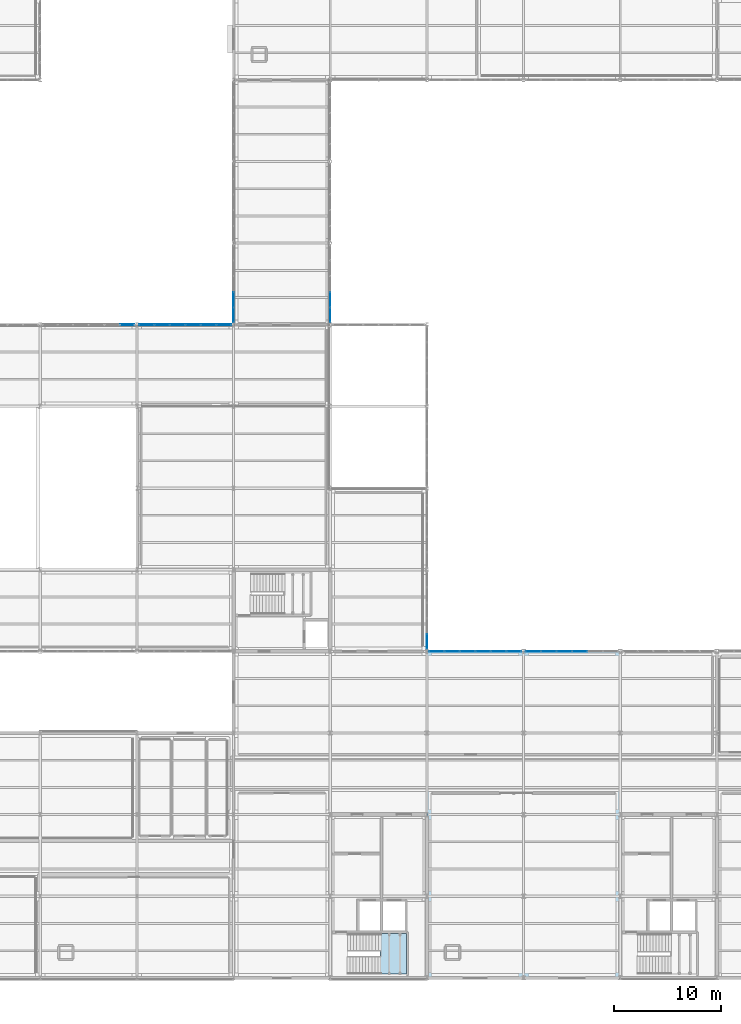
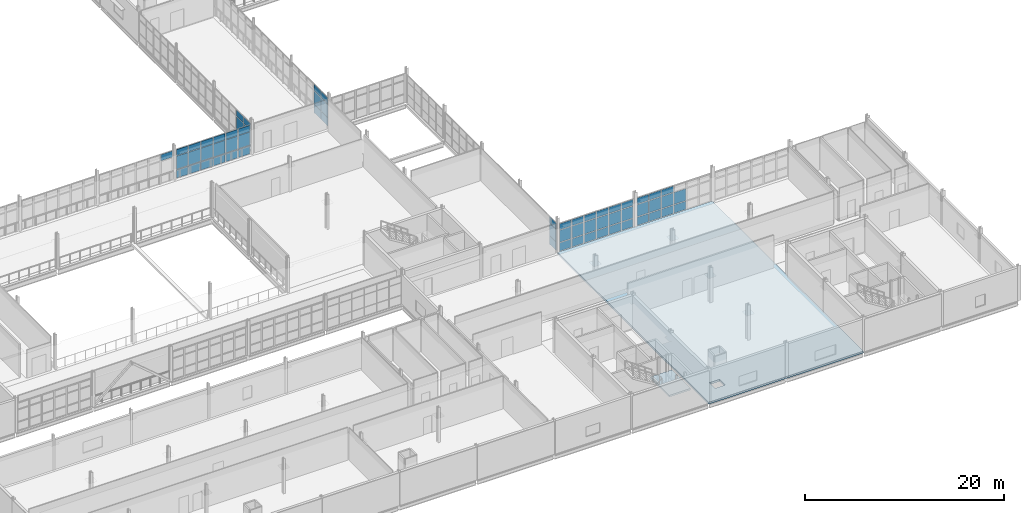
# One storey, part 131 of 174: 63 plates, 2 slabs, 8 elements without a shape of their own.
"""IFC4 building model written with IfcOpenShell, lengths in metres."""

from ifc_helpers import new_model, si_unit, direction, frame, origin, origin_2d, place, context, subcontext, project, spatial, polyline, rectangle, outline, extrude, material, layer, layer_set, type_object, element, aggregate, save


model = new_model("IFC4")

# Units and contexts
model_context = context("Model", 3, precision=1e-05, world=origin(), true_north=direction((0.0, 1.0)))
body_context = subcontext(model_context, "Body", "Model", "MODEL_VIEW")
ifc_project = project(units=[si_unit("LENGTHUNIT", "METRE"), si_unit("AREAUNIT", "SQUARE_METRE"), si_unit("VOLUMEUNIT", "CUBIC_METRE"), si_unit("PLANEANGLEUNIT", "RADIAN"), si_unit("MASSUNIT", "GRAM", prefix="KILO")], contexts=[model_context])

# Site, building, storey
site_placement = place(None, origin())
site = spatial("IfcSite", under=ifc_project, at=site_placement, CompositionType="ELEMENT")
building_placement = place(site_placement, origin())
building = spatial("IfcBuilding", under=site, at=building_placement, Name="Caisbarro Railhouse Central Library", CompositionType="ELEMENT")
storey_placement = place(building_placement, frame((0.0, 0.0, 5.0400390625)))
storey = spatial("IfcBuildingStorey", under=building, at=storey_placement, Name="L01", CompositionType="ELEMENT", Elevation=5.0400390625)

# Curtain wall, plates
ifc_material_1 = material(Name="Anodised architectural aluminium", Category="aluminium")
curtain_wall_type_1 = type_object("IfcCurtainWallType", Name="CW-CW03", PredefinedType="NOTDEFINED", material=ifc_material_1)
curtain_wall_1_placement = place(storey_placement, origin())
curtain_wall_1 = element("IfcCurtainWall", 1, at=curtain_wall_1_placement, inside=storey, type_object=curtain_wall_type_1, Name="CW03 curtain wall L01 #192", PredefinedType="NOTDEFINED")
ifc_material_2 = material(Name="Double low-e laminated solar-control glass", Category="glass")
ifc_layer_1 = layer(ifc_material_2, 0.01806640625, Name="Double low-e laminated solar-control glass")
ifc_layer_set_1 = layer_set([ifc_layer_1], Name="Double low-e laminated solar-control glass")
plate_type_1 = type_object("IfcPlateType", Name="CWP-CP18", PredefinedType="CURTAIN_PANEL", material=ifc_layer_set_1)
plate_1_placement = place(storey_placement, frame((54.0, 61.704345703125, 0.06494140625), z_axis=(0.0, 0.0, 1.0), x_axis=(0.0, 1.0, 0.0)))
plate_1 = element("IfcPlate", 2, at=plate_1_placement, type_object=plate_type_1, Name="CW03 panel 1.1", PredefinedType="CURTAIN_PANEL", context=body_context, shape_type="SweptSolid", body=[
    extrude(rectangle(XDim=1.3583984375, YDim=0.01806640625, at=origin_2d()), origin(), (0.0, 0.0, 1.0), 1.0224609375),
])
plate_2_placement = place(storey_placement, frame((54.0, 61.704345703125, 1.15234375), z_axis=(0.0, 0.0, 1.0), x_axis=(0.0, 1.0, 0.0)))
plate_2 = element("IfcPlate", 3, at=plate_2_placement, type_object=plate_type_1, Name="CW03 panel 1.2", PredefinedType="CURTAIN_PANEL", context=body_context, shape_type="SweptSolid", body=[
    extrude(rectangle(XDim=1.3583984375, YDim=0.01806640625, at=origin_2d()), origin(), (0.0, 0.0, 1.0), 1.574951171875),
])
plate_3_placement = place(storey_placement, frame((54.0, 61.704345703125, 2.79248046875), z_axis=(0.0, 0.0, 1.0), x_axis=(0.0, 1.0, 0.0)))
plate_3 = element("IfcPlate", 4, at=plate_3_placement, type_object=plate_type_1, Name="CW03 panel 1.3", PredefinedType="CURTAIN_PANEL", context=body_context, shape_type="SweptSolid", body=[
    extrude(rectangle(XDim=1.3583984375, YDim=0.01806640625, at=origin_2d()), origin(), (0.0, 0.0, 1.0), 0.75244140625),
])
plate_4_placement = place(storey_placement, frame((54.0, 63.14404296875, 0.06494140625), z_axis=(0.0, 0.0, 1.0), x_axis=(0.0, 1.0, 0.0)))
plate_4 = element("IfcPlate", 5, at=plate_4_placement, type_object=plate_type_1, Name="CW03 panel 2.1", PredefinedType="CURTAIN_PANEL", context=body_context, shape_type="SweptSolid", body=[
    extrude(rectangle(XDim=1.39111328125, YDim=0.01806640625, at=origin_2d()), origin(), (0.0, 0.0, 1.0), 1.0224609375),
])
plate_5_placement = place(storey_placement, frame((54.0, 63.14404296875, 1.15234375), z_axis=(0.0, 0.0, 1.0), x_axis=(0.0, 1.0, 0.0)))
plate_5 = element("IfcPlate", 6, at=plate_5_placement, type_object=plate_type_1, Name="CW03 panel 2.2", PredefinedType="CURTAIN_PANEL", context=body_context, shape_type="SweptSolid", body=[
    extrude(rectangle(XDim=1.39111328125, YDim=0.01806640625, at=origin_2d()), origin(), (0.0, 0.0, 1.0), 1.574951171875),
])
plate_6_placement = place(storey_placement, frame((54.0, 63.14404296875, 2.79248046875), z_axis=(0.0, 0.0, 1.0), x_axis=(0.0, 1.0, 0.0)))
plate_6 = element("IfcPlate", 7, at=plate_6_placement, type_object=plate_type_1, Name="CW03 panel 2.3", PredefinedType="CURTAIN_PANEL", context=body_context, shape_type="SweptSolid", body=[
    extrude(rectangle(XDim=1.39111328125, YDim=0.01806640625, at=origin_2d()), origin(), (0.0, 0.0, 1.0), 0.75244140625),
])
aggregate(curtain_wall_1, [plate_1, plate_2, plate_3, plate_4, plate_5, plate_6])

curtain_wall_2_placement = place(storey_placement, origin())
curtain_wall_2 = element("IfcCurtainWall", 8, at=curtain_wall_2_placement, inside=storey, type_object=curtain_wall_type_1, Name="CW03 curtain wall L01 #193", PredefinedType="NOTDEFINED")
plate_7_placement = place(storey_placement, frame((63.0, 61.704345703125, 0.06494140625), z_axis=(0.0, 0.0, 1.0), x_axis=(0.0, 1.0, 0.0)))
plate_7 = element("IfcPlate", 9, at=plate_7_placement, type_object=plate_type_1, Name="CW03 panel 1.1", PredefinedType="CURTAIN_PANEL", context=body_context, shape_type="SweptSolid", body=[
    extrude(rectangle(XDim=1.3583984375, YDim=0.01806640625, at=origin_2d()), origin(), (0.0, 0.0, 1.0), 1.0224609375),
])
plate_8_placement = place(storey_placement, frame((63.0, 61.704345703125, 1.15234375), z_axis=(0.0, 0.0, 1.0), x_axis=(0.0, 1.0, 0.0)))
plate_8 = element("IfcPlate", 10, at=plate_8_placement, type_object=plate_type_1, Name="CW03 panel 1.2", PredefinedType="CURTAIN_PANEL", context=body_context, shape_type="SweptSolid", body=[
    extrude(rectangle(XDim=1.3583984375, YDim=0.01806640625, at=origin_2d()), origin(), (0.0, 0.0, 1.0), 1.574951171875),
])
plate_9_placement = place(storey_placement, frame((63.0, 61.704345703125, 2.79248046875), z_axis=(0.0, 0.0, 1.0), x_axis=(0.0, 1.0, 0.0)))
plate_9 = element("IfcPlate", 11, at=plate_9_placement, type_object=plate_type_1, Name="CW03 panel 1.3", PredefinedType="CURTAIN_PANEL", context=body_context, shape_type="SweptSolid", body=[
    extrude(rectangle(XDim=1.3583984375, YDim=0.01806640625, at=origin_2d()), origin(), (0.0, 0.0, 1.0), 0.75244140625),
])
plate_10_placement = place(storey_placement, frame((63.0, 63.14404296875, 0.06494140625), z_axis=(0.0, 0.0, 1.0), x_axis=(0.0, 1.0, 0.0)))
plate_10 = element("IfcPlate", 12, at=plate_10_placement, type_object=plate_type_1, Name="CW03 panel 2.1", PredefinedType="CURTAIN_PANEL", context=body_context, shape_type="SweptSolid", body=[
    extrude(rectangle(XDim=1.39111328125, YDim=0.01806640625, at=origin_2d()), origin(), (0.0, 0.0, 1.0), 1.0224609375),
])
plate_11_placement = place(storey_placement, frame((63.0, 63.14404296875, 1.15234375), z_axis=(0.0, 0.0, 1.0), x_axis=(0.0, 1.0, 0.0)))
plate_11 = element("IfcPlate", 13, at=plate_11_placement, type_object=plate_type_1, Name="CW03 panel 2.2", PredefinedType="CURTAIN_PANEL", context=body_context, shape_type="SweptSolid", body=[
    extrude(rectangle(XDim=1.39111328125, YDim=0.01806640625, at=origin_2d()), origin(), (0.0, 0.0, 1.0), 1.574951171875),
])
plate_12_placement = place(storey_placement, frame((63.0, 63.14404296875, 2.79248046875), z_axis=(0.0, 0.0, 1.0), x_axis=(0.0, 1.0, 0.0)))
plate_12 = element("IfcPlate", 14, at=plate_12_placement, type_object=plate_type_1, Name="CW03 panel 2.3", PredefinedType="CURTAIN_PANEL", context=body_context, shape_type="SweptSolid", body=[
    extrude(rectangle(XDim=1.39111328125, YDim=0.01806640625, at=origin_2d()), origin(), (0.0, 0.0, 1.0), 0.75244140625),
])
aggregate(curtain_wall_2, [plate_7, plate_8, plate_9, plate_10, plate_11, plate_12])

curtain_wall_type_2 = type_object("IfcCurtainWallType", Name="CW-CW02", PredefinedType="NOTDEFINED", material=ifc_material_1)
curtain_wall_3_placement = place(storey_placement, origin())
curtain_wall_3 = element("IfcCurtainWall", 15, at=curtain_wall_3_placement, inside=storey, type_object=curtain_wall_type_2, Name="CW02 curtain wall L01 #30", PredefinedType="NOTDEFINED")
ifc_layer_2 = layer(ifc_material_2, 0.0380859375, Name="Double low-e laminated solar-control glass")
ifc_layer_set_2 = layer_set([ifc_layer_2], Name="Double low-e laminated solar-control glass")
plate_type_2 = type_object("IfcPlateType", Name="CWP-CP38", PredefinedType="CURTAIN_PANEL", material=ifc_layer_set_2)
plate_13_placement = place(storey_placement, frame((72.0, 31.306640625, 0.06494140625), z_axis=(0.0, 0.0, 1.0), x_axis=(0.0, 1.0, 0.0)))
plate_13 = element("IfcPlate", 16, at=plate_13_placement, type_object=plate_type_2, Name="CW02 panel 1.1", PredefinedType="CURTAIN_PANEL", context=body_context, shape_type="SweptSolid", body=[
    extrude(rectangle(XDim=1.343505859375, YDim=0.0380859375, at=origin_2d()), origin(), (0.0, 0.0, 1.0), 1.0224609375),
])
plate_14_placement = place(storey_placement, frame((72.0, 31.306640625, 1.15234375), z_axis=(0.0, 0.0, 1.0), x_axis=(0.0, 1.0, 0.0)))
plate_14 = element("IfcPlate", 17, at=plate_14_placement, type_object=plate_type_2, Name="CW02 panel 1.2", PredefinedType="CURTAIN_PANEL", context=body_context, shape_type="SweptSolid", body=[
    extrude(rectangle(XDim=1.343505859375, YDim=0.0380859375, at=origin_2d()), origin(), (0.0, 0.0, 1.0), 1.47509765625),
])
plate_15_placement = place(storey_placement, frame((72.0, 31.306640625, 2.6923828125), z_axis=(0.0, 0.0, 1.0), x_axis=(0.0, 1.0, 0.0)))
plate_15 = element("IfcPlate", 18, at=plate_15_placement, type_object=plate_type_2, Name="CW02 panel 1.3", PredefinedType="CURTAIN_PANEL", context=body_context, shape_type="SweptSolid", body=[
    extrude(rectangle(XDim=1.343505859375, YDim=0.0380859375, at=origin_2d()), origin(), (0.0, 0.0, 1.0), 0.75244140625),
])
aggregate(curtain_wall_3, [plate_13, plate_14, plate_15])

curtain_wall_4_placement = place(storey_placement, origin())
curtain_wall_4 = element("IfcCurtainWall", 19, at=curtain_wall_4_placement, inside=storey, type_object=curtain_wall_type_2, Name="CW02 curtain wall L01 #54", PredefinedType="NOTDEFINED")
plate_16_placement = place(storey_placement, frame((72.902099609375, 30.39990234375, 0.07470703125), z_axis=(0.0, 0.0, 1.0), x_axis=(1.0, 0.0, 0.0)))
plate_16 = element("IfcPlate", 20, at=plate_16_placement, type_object=plate_type_2, Name="CW02 panel 1.1", PredefinedType="CURTAIN_PANEL", context=body_context, shape_type="SweptSolid", body=[
    extrude(rectangle(XDim=1.334228515625, YDim=0.0380859375, at=origin_2d()), origin(), (0.0, 0.0, 1.0), 1.007568359375),
])
plate_17_placement = place(storey_placement, frame((72.902099609375, 30.39990234375, 1.1572265625), z_axis=(0.0, 0.0, 1.0), x_axis=(1.0, 0.0, 0.0)))
plate_17 = element("IfcPlate", 21, at=plate_17_placement, type_object=plate_type_2, Name="CW02 panel 1.2", PredefinedType="CURTAIN_PANEL", context=body_context, shape_type="SweptSolid", body=[
    extrude(rectangle(XDim=1.334228515625, YDim=0.0380859375, at=origin_2d()), origin(), (0.0, 0.0, 1.0), 1.465087890625),
])
plate_18_placement = place(storey_placement, frame((72.902099609375, 30.39990234375, 2.697265625), z_axis=(0.0, 0.0, 1.0), x_axis=(1.0, 0.0, 0.0)))
plate_18 = element("IfcPlate", 22, at=plate_18_placement, type_object=plate_type_2, Name="CW02 panel 1.3", PredefinedType="CURTAIN_PANEL", context=body_context, shape_type="SweptSolid", body=[
    extrude(rectangle(XDim=1.334228515625, YDim=0.0380859375, at=origin_2d()), origin(), (0.0, 0.0, 1.0), 0.737548828125),
])
plate_19_placement = place(storey_placement, frame((74.330078125, 30.39990234375, 0.07470703125), z_axis=(0.0, 0.0, 1.0), x_axis=(1.0, 0.0, 0.0)))
plate_19 = element("IfcPlate", 23, at=plate_19_placement, type_object=plate_type_2, Name="CW02 panel 2.1", PredefinedType="CURTAIN_PANEL", context=body_context, shape_type="SweptSolid", body=[
    extrude(rectangle(XDim=1.37158203125, YDim=0.0380859375, at=origin_2d()), origin(), (0.0, 0.0, 1.0), 1.007568359375),
])
plate_20_placement = place(storey_placement, frame((74.330078125, 30.39990234375, 1.1572265625), z_axis=(0.0, 0.0, 1.0), x_axis=(1.0, 0.0, 0.0)))
plate_20 = element("IfcPlate", 24, at=plate_20_placement, type_object=plate_type_2, Name="CW02 panel 2.2", PredefinedType="CURTAIN_PANEL", context=body_context, shape_type="SweptSolid", body=[
    extrude(rectangle(XDim=1.37158203125, YDim=0.0380859375, at=origin_2d()), origin(), (0.0, 0.0, 1.0), 1.465087890625),
])
plate_21_placement = place(storey_placement, frame((74.330078125, 30.39990234375, 2.697265625), z_axis=(0.0, 0.0, 1.0), x_axis=(1.0, 0.0, 0.0)))
plate_21 = element("IfcPlate", 25, at=plate_21_placement, type_object=plate_type_2, Name="CW02 panel 2.3", PredefinedType="CURTAIN_PANEL", context=body_context, shape_type="SweptSolid", body=[
    extrude(rectangle(XDim=1.37158203125, YDim=0.0380859375, at=origin_2d()), origin(), (0.0, 0.0, 1.0), 0.737548828125),
])
plate_22_placement = place(storey_placement, frame((75.776611328125, 30.39990234375, 0.07470703125), z_axis=(0.0, 0.0, 1.0), x_axis=(1.0, 0.0, 0.0)))
plate_22 = element("IfcPlate", 26, at=plate_22_placement, type_object=plate_type_2, Name="CW02 panel 3.1", PredefinedType="CURTAIN_PANEL", context=body_context, shape_type="SweptSolid", body=[
    extrude(rectangle(XDim=1.37158203125, YDim=0.0380859375, at=origin_2d()), origin(), (0.0, 0.0, 1.0), 1.007568359375),
])
plate_23_placement = place(storey_placement, frame((75.776611328125, 30.39990234375, 1.1572265625), z_axis=(0.0, 0.0, 1.0), x_axis=(1.0, 0.0, 0.0)))
plate_23 = element("IfcPlate", 27, at=plate_23_placement, type_object=plate_type_2, Name="CW02 panel 3.2", PredefinedType="CURTAIN_PANEL", context=body_context, shape_type="SweptSolid", body=[
    extrude(rectangle(XDim=1.37158203125, YDim=0.0380859375, at=origin_2d()), origin(), (0.0, 0.0, 1.0), 1.465087890625),
])
plate_24_placement = place(storey_placement, frame((75.776611328125, 30.39990234375, 2.697265625), z_axis=(0.0, 0.0, 1.0), x_axis=(1.0, 0.0, 0.0)))
plate_24 = element("IfcPlate", 28, at=plate_24_placement, type_object=plate_type_2, Name="CW02 panel 3.3", PredefinedType="CURTAIN_PANEL", context=body_context, shape_type="SweptSolid", body=[
    extrude(rectangle(XDim=1.37158203125, YDim=0.0380859375, at=origin_2d()), origin(), (0.0, 0.0, 1.0), 0.737548828125),
])
plate_25_placement = place(storey_placement, frame((77.223388671875, 30.39990234375, 0.07470703125), z_axis=(0.0, 0.0, 1.0), x_axis=(1.0, 0.0, 0.0)))
plate_25 = element("IfcPlate", 29, at=plate_25_placement, type_object=plate_type_2, Name="CW02 panel 4.1", PredefinedType="CURTAIN_PANEL", context=body_context, shape_type="SweptSolid", body=[
    extrude(rectangle(XDim=1.37158203125, YDim=0.0380859375, at=origin_2d()), origin(), (0.0, 0.0, 1.0), 1.007568359375),
])
plate_26_placement = place(storey_placement, frame((77.223388671875, 30.39990234375, 1.1572265625), z_axis=(0.0, 0.0, 1.0), x_axis=(1.0, 0.0, 0.0)))
plate_26 = element("IfcPlate", 30, at=plate_26_placement, type_object=plate_type_2, Name="CW02 panel 4.2", PredefinedType="CURTAIN_PANEL", context=body_context, shape_type="SweptSolid", body=[
    extrude(rectangle(XDim=1.37158203125, YDim=0.0380859375, at=origin_2d()), origin(), (0.0, 0.0, 1.0), 1.465087890625),
])
plate_27_placement = place(storey_placement, frame((77.223388671875, 30.39990234375, 2.697265625), z_axis=(0.0, 0.0, 1.0), x_axis=(1.0, 0.0, 0.0)))
plate_27 = element("IfcPlate", 31, at=plate_27_placement, type_object=plate_type_2, Name="CW02 panel 4.3", PredefinedType="CURTAIN_PANEL", context=body_context, shape_type="SweptSolid", body=[
    extrude(rectangle(XDim=1.37158203125, YDim=0.0380859375, at=origin_2d()), origin(), (0.0, 0.0, 1.0), 0.737548828125),
])
plate_28_placement = place(storey_placement, frame((78.669921875, 30.39990234375, 0.07470703125), z_axis=(0.0, 0.0, 1.0), x_axis=(1.0, 0.0, 0.0)))
plate_28 = element("IfcPlate", 32, at=plate_28_placement, type_object=plate_type_2, Name="CW02 panel 5.1", PredefinedType="CURTAIN_PANEL", context=body_context, shape_type="SweptSolid", body=[
    extrude(rectangle(XDim=1.37158203125, YDim=0.0380859375, at=origin_2d()), origin(), (0.0, 0.0, 1.0), 1.007568359375),
])
plate_29_placement = place(storey_placement, frame((78.669921875, 30.39990234375, 1.1572265625), z_axis=(0.0, 0.0, 1.0), x_axis=(1.0, 0.0, 0.0)))
plate_29 = element("IfcPlate", 33, at=plate_29_placement, type_object=plate_type_2, Name="CW02 panel 5.2", PredefinedType="CURTAIN_PANEL", context=body_context, shape_type="SweptSolid", body=[
    extrude(rectangle(XDim=1.37158203125, YDim=0.0380859375, at=origin_2d()), origin(), (0.0, 0.0, 1.0), 1.465087890625),
])
plate_30_placement = place(storey_placement, frame((78.669921875, 30.39990234375, 2.697265625), z_axis=(0.0, 0.0, 1.0), x_axis=(1.0, 0.0, 0.0)))
plate_30 = element("IfcPlate", 34, at=plate_30_placement, type_object=plate_type_2, Name="CW02 panel 5.3", PredefinedType="CURTAIN_PANEL", context=body_context, shape_type="SweptSolid", body=[
    extrude(rectangle(XDim=1.37158203125, YDim=0.0380859375, at=origin_2d()), origin(), (0.0, 0.0, 1.0), 0.737548828125),
])
plate_31_placement = place(storey_placement, frame((80.097900390625, 30.39990234375, 0.07470703125), z_axis=(0.0, 0.0, 1.0), x_axis=(1.0, 0.0, 0.0)))
plate_31 = element("IfcPlate", 35, at=plate_31_placement, type_object=plate_type_2, Name="CW02 panel 6.1", PredefinedType="CURTAIN_PANEL", context=body_context, shape_type="SweptSolid", body=[
    extrude(rectangle(XDim=1.334228515625, YDim=0.0380859375, at=origin_2d()), origin(), (0.0, 0.0, 1.0), 1.007568359375),
])
plate_32_placement = place(storey_placement, frame((80.097900390625, 30.39990234375, 1.1572265625), z_axis=(0.0, 0.0, 1.0), x_axis=(1.0, 0.0, 0.0)))
plate_32 = element("IfcPlate", 36, at=plate_32_placement, type_object=plate_type_2, Name="CW02 panel 6.2", PredefinedType="CURTAIN_PANEL", context=body_context, shape_type="SweptSolid", body=[
    extrude(rectangle(XDim=1.334228515625, YDim=0.0380859375, at=origin_2d()), origin(), (0.0, 0.0, 1.0), 1.465087890625),
])
plate_33_placement = place(storey_placement, frame((80.097900390625, 30.39990234375, 2.697265625), z_axis=(0.0, 0.0, 1.0), x_axis=(1.0, 0.0, 0.0)))
plate_33 = element("IfcPlate", 37, at=plate_33_placement, type_object=plate_type_2, Name="CW02 panel 6.3", PredefinedType="CURTAIN_PANEL", context=body_context, shape_type="SweptSolid", body=[
    extrude(rectangle(XDim=1.334228515625, YDim=0.0380859375, at=origin_2d()), origin(), (0.0, 0.0, 1.0), 0.737548828125),
])
aggregate(curtain_wall_4, [plate_16, plate_17, plate_18, plate_19, plate_20, plate_21, plate_22, plate_23, plate_24, plate_25, plate_26, plate_27, plate_28, plate_29, plate_30, plate_31, plate_32, plate_33])

curtain_wall_5_placement = place(storey_placement, origin())
curtain_wall_5 = element("IfcCurtainWall", 38, at=curtain_wall_5_placement, inside=storey, type_object=curtain_wall_type_2, Name="CW02 curtain wall L01 #55", PredefinedType="NOTDEFINED")
ifc_layer_3 = layer(ifc_material_2, 0.048095703125, Name="Double low-e laminated solar-control glass")
ifc_layer_set_3 = layer_set([ifc_layer_3], Name="Double low-e laminated solar-control glass")
plate_type_3 = type_object("IfcPlateType", Name="CWP-CP48", PredefinedType="CURTAIN_PANEL", material=ifc_layer_set_3)
plate_34_placement = place(storey_placement, frame((81.899658203125, 30.39990234375, 0.07470703125), z_axis=(0.0, 0.0, 1.0), x_axis=(1.0, 0.0, 0.0)))
plate_34 = element("IfcPlate", 39, at=plate_34_placement, type_object=plate_type_3, Name="CW02 panel 1.1", PredefinedType="CURTAIN_PANEL", context=body_context, shape_type="SweptSolid", body=[
    extrude(rectangle(XDim=1.34912109375, YDim=0.048095703125, at=origin_2d()), origin(), (0.0, 0.0, 1.0), 1.007568359375),
])
plate_35_placement = place(storey_placement, frame((81.899658203125, 30.39990234375, 1.1572265625), z_axis=(0.0, 0.0, 1.0), x_axis=(1.0, 0.0, 0.0)))
plate_35 = element("IfcPlate", 40, at=plate_35_placement, type_object=plate_type_3, Name="CW02 panel 1.2", PredefinedType="CURTAIN_PANEL", context=body_context, shape_type="SweptSolid", body=[
    extrude(rectangle(XDim=1.34912109375, YDim=0.048095703125, at=origin_2d()), origin(), (0.0, 0.0, 1.0), 1.465087890625),
])
plate_36_placement = place(storey_placement, frame((81.899658203125, 30.39990234375, 2.697265625), z_axis=(0.0, 0.0, 1.0), x_axis=(1.0, 0.0, 0.0)))
plate_36 = element("IfcPlate", 41, at=plate_36_placement, type_object=plate_type_3, Name="CW02 panel 1.3", PredefinedType="CURTAIN_PANEL", context=body_context, shape_type="SweptSolid", body=[
    extrude(rectangle(XDim=1.34912109375, YDim=0.048095703125, at=origin_2d()), origin(), (0.0, 0.0, 1.0), 0.737548828125),
])
plate_37_placement = place(storey_placement, frame((83.330078125, 30.39990234375, 0.07470703125), z_axis=(0.0, 0.0, 1.0), x_axis=(1.0, 0.0, 0.0)))
plate_37 = element("IfcPlate", 42, at=plate_37_placement, type_object=plate_type_3, Name="CW02 panel 2.1", PredefinedType="CURTAIN_PANEL", context=body_context, shape_type="SweptSolid", body=[
    extrude(rectangle(XDim=1.381591796875, YDim=0.048095703125, at=origin_2d()), origin(), (0.0, 0.0, 1.0), 1.007568359375),
])
plate_38_placement = place(storey_placement, frame((83.330078125, 30.39990234375, 1.1572265625), z_axis=(0.0, 0.0, 1.0), x_axis=(1.0, 0.0, 0.0)))
plate_38 = element("IfcPlate", 43, at=plate_38_placement, type_object=plate_type_3, Name="CW02 panel 2.2", PredefinedType="CURTAIN_PANEL", context=body_context, shape_type="SweptSolid", body=[
    extrude(rectangle(XDim=1.381591796875, YDim=0.048095703125, at=origin_2d()), origin(), (0.0, 0.0, 1.0), 1.465087890625),
])
plate_39_placement = place(storey_placement, frame((83.330078125, 30.39990234375, 2.697265625), z_axis=(0.0, 0.0, 1.0), x_axis=(1.0, 0.0, 0.0)))
plate_39 = element("IfcPlate", 44, at=plate_39_placement, type_object=plate_type_3, Name="CW02 panel 2.3", PredefinedType="CURTAIN_PANEL", context=body_context, shape_type="SweptSolid", body=[
    extrude(rectangle(XDim=1.381591796875, YDim=0.048095703125, at=origin_2d()), origin(), (0.0, 0.0, 1.0), 0.737548828125),
])
plate_40_placement = place(storey_placement, frame((84.776611328125, 30.39990234375, 0.07470703125), z_axis=(0.0, 0.0, 1.0), x_axis=(1.0, 0.0, 0.0)))
plate_40 = element("IfcPlate", 45, at=plate_40_placement, type_object=plate_type_3, Name="CW02 panel 3.1", PredefinedType="CURTAIN_PANEL", context=body_context, shape_type="SweptSolid", body=[
    extrude(rectangle(XDim=1.381591796875, YDim=0.048095703125, at=origin_2d()), origin(), (0.0, 0.0, 1.0), 1.007568359375),
])
plate_41_placement = place(storey_placement, frame((84.776611328125, 30.39990234375, 1.1572265625), z_axis=(0.0, 0.0, 1.0), x_axis=(1.0, 0.0, 0.0)))
plate_41 = element("IfcPlate", 46, at=plate_41_placement, type_object=plate_type_3, Name="CW02 panel 3.2", PredefinedType="CURTAIN_PANEL", context=body_context, shape_type="SweptSolid", body=[
    extrude(rectangle(XDim=1.381591796875, YDim=0.048095703125, at=origin_2d()), origin(), (0.0, 0.0, 1.0), 1.465087890625),
])
plate_42_placement = place(storey_placement, frame((84.776611328125, 30.39990234375, 2.697265625), z_axis=(0.0, 0.0, 1.0), x_axis=(1.0, 0.0, 0.0)))
plate_42 = element("IfcPlate", 47, at=plate_42_placement, type_object=plate_type_3, Name="CW02 panel 3.3", PredefinedType="CURTAIN_PANEL", context=body_context, shape_type="SweptSolid", body=[
    extrude(rectangle(XDim=1.381591796875, YDim=0.048095703125, at=origin_2d()), origin(), (0.0, 0.0, 1.0), 0.737548828125),
])
plate_43_placement = place(storey_placement, frame((86.223388671875, 30.39990234375, 0.07470703125), z_axis=(0.0, 0.0, 1.0), x_axis=(1.0, 0.0, 0.0)))
plate_43 = element("IfcPlate", 48, at=plate_43_placement, type_object=plate_type_3, Name="CW02 panel 4.1", PredefinedType="CURTAIN_PANEL", context=body_context, shape_type="SweptSolid", body=[
    extrude(rectangle(XDim=1.381591796875, YDim=0.048095703125, at=origin_2d()), origin(), (0.0, 0.0, 1.0), 1.007568359375),
])
plate_44_placement = place(storey_placement, frame((86.223388671875, 30.39990234375, 1.1572265625), z_axis=(0.0, 0.0, 1.0), x_axis=(1.0, 0.0, 0.0)))
plate_44 = element("IfcPlate", 49, at=plate_44_placement, type_object=plate_type_3, Name="CW02 panel 4.2", PredefinedType="CURTAIN_PANEL", context=body_context, shape_type="SweptSolid", body=[
    extrude(rectangle(XDim=1.381591796875, YDim=0.048095703125, at=origin_2d()), origin(), (0.0, 0.0, 1.0), 1.465087890625),
])
aggregate(curtain_wall_5, [plate_34, plate_35, plate_36, plate_37, plate_38, plate_39, plate_40, plate_41, plate_42, plate_43, plate_44])

# Curtain wall, plate
curtain_wall_6_placement = place(storey_placement, origin())
curtain_wall_6 = element("IfcCurtainWall", 50, at=curtain_wall_6_placement, inside=storey, type_object=curtain_wall_type_2, Name="CW02 curtain wall L01 #12", PredefinedType="NOTDEFINED")
ifc_layer_4 = layer(ifc_material_2, 0.05810546875, Name="Double low-e laminated solar-control glass")
ifc_layer_set_4 = layer_set([ifc_layer_4], Name="Double low-e laminated solar-control glass")
plate_type_4 = type_object("IfcPlateType", Name="CWP-CP58", PredefinedType="CURTAIN_PANEL", material=ifc_layer_set_4)
plate_45_placement = place(storey_placement, frame((44.097900390625, 60.800048828125, 2.8125), z_axis=(0.0, 0.0, 1.0), x_axis=(1.0, 0.0, 0.0)))
plate_45 = element("IfcPlate", 51, at=plate_45_placement, type_object=plate_type_4, Name="CW02 panel 6.3", PredefinedType="CURTAIN_PANEL", context=body_context, shape_type="SweptSolid", body=[
    extrude(rectangle(XDim=1.334228515625, YDim=0.05810546875, at=origin_2d()), origin(), (0.0, 0.0, 1.0), 0.75244140625),
])
aggregate(curtain_wall_6, [plate_45])

# Curtain wall, plates
curtain_wall_7_placement = place(storey_placement, origin())
curtain_wall_7 = element("IfcCurtainWall", 52, at=curtain_wall_7_placement, inside=storey, type_object=curtain_wall_type_2, Name="CW02 curtain wall L01 #15", PredefinedType="NOTDEFINED")
ifc_layer_5 = layer(ifc_material_2, 0.068115234375, Name="Double low-e laminated solar-control glass")
ifc_layer_set_5 = layer_set([ifc_layer_5], Name="Double low-e laminated solar-control glass")
plate_type_5 = type_object("IfcPlateType", Name="CWP-CP68", PredefinedType="CURTAIN_PANEL", material=ifc_layer_set_5)
plate_46_placement = place(storey_placement, frame((45.902099609375, 60.800048828125, 0.06494140625), z_axis=(0.0, 0.0, 1.0), x_axis=(1.0, 0.0, 0.0)))
plate_46 = element("IfcPlate", 53, at=plate_46_placement, type_object=plate_type_5, Name="CW02 panel 1.1", PredefinedType="CURTAIN_PANEL", context=body_context, shape_type="SweptSolid", body=[
    extrude(rectangle(XDim=1.334228515625, YDim=0.068115234375, at=origin_2d()), origin(), (0.0, 0.0, 1.0), 1.0224609375),
])
plate_47_placement = place(storey_placement, frame((45.902099609375, 60.800048828125, 1.15234375), z_axis=(0.0, 0.0, 1.0), x_axis=(1.0, 0.0, 0.0)))
plate_47 = element("IfcPlate", 54, at=plate_47_placement, type_object=plate_type_5, Name="CW02 panel 1.2", PredefinedType="CURTAIN_PANEL", context=body_context, shape_type="SweptSolid", body=[
    extrude(rectangle(XDim=1.334228515625, YDim=0.068115234375, at=origin_2d()), origin(), (0.0, 0.0, 1.0), 1.594970703125),
])
plate_48_placement = place(storey_placement, frame((45.902099609375, 60.800048828125, 2.8125), z_axis=(0.0, 0.0, 1.0), x_axis=(1.0, 0.0, 0.0)))
plate_48 = element("IfcPlate", 55, at=plate_48_placement, type_object=plate_type_5, Name="CW02 panel 1.3", PredefinedType="CURTAIN_PANEL", context=body_context, shape_type="SweptSolid", body=[
    extrude(rectangle(XDim=1.334228515625, YDim=0.068115234375, at=origin_2d()), origin(), (0.0, 0.0, 1.0), 0.75244140625),
])
plate_49_placement = place(storey_placement, frame((47.330078125, 60.800048828125, 0.06494140625), z_axis=(0.0, 0.0, 1.0), x_axis=(1.0, 0.0, 0.0)))
plate_49 = element("IfcPlate", 56, at=plate_49_placement, type_object=plate_type_5, Name="CW02 panel 2.1", PredefinedType="CURTAIN_PANEL", context=body_context, shape_type="SweptSolid", body=[
    extrude(rectangle(XDim=1.37158203125, YDim=0.068115234375, at=origin_2d()), origin(), (0.0, 0.0, 1.0), 1.0224609375),
])
plate_50_placement = place(storey_placement, frame((47.330078125, 60.800048828125, 1.15234375), z_axis=(0.0, 0.0, 1.0), x_axis=(1.0, 0.0, 0.0)))
plate_50 = element("IfcPlate", 57, at=plate_50_placement, type_object=plate_type_5, Name="CW02 panel 2.2", PredefinedType="CURTAIN_PANEL", context=body_context, shape_type="SweptSolid", body=[
    extrude(rectangle(XDim=1.37158203125, YDim=0.068115234375, at=origin_2d()), origin(), (0.0, 0.0, 1.0), 1.594970703125),
])
plate_51_placement = place(storey_placement, frame((47.330078125, 60.800048828125, 2.8125), z_axis=(0.0, 0.0, 1.0), x_axis=(1.0, 0.0, 0.0)))
plate_51 = element("IfcPlate", 58, at=plate_51_placement, type_object=plate_type_5, Name="CW02 panel 2.3", PredefinedType="CURTAIN_PANEL", context=body_context, shape_type="SweptSolid", body=[
    extrude(rectangle(XDim=1.37158203125, YDim=0.068115234375, at=origin_2d()), origin(), (0.0, 0.0, 1.0), 0.75244140625),
])
plate_52_placement = place(storey_placement, frame((48.776611328125, 60.800048828125, 0.06494140625), z_axis=(0.0, 0.0, 1.0), x_axis=(1.0, 0.0, 0.0)))
plate_52 = element("IfcPlate", 59, at=plate_52_placement, type_object=plate_type_5, Name="CW02 panel 3.1", PredefinedType="CURTAIN_PANEL", context=body_context, shape_type="SweptSolid", body=[
    extrude(rectangle(XDim=1.37158203125, YDim=0.068115234375, at=origin_2d()), origin(), (0.0, 0.0, 1.0), 1.0224609375),
])
plate_53_placement = place(storey_placement, frame((48.776611328125, 60.800048828125, 1.15234375), z_axis=(0.0, 0.0, 1.0), x_axis=(1.0, 0.0, 0.0)))
plate_53 = element("IfcPlate", 60, at=plate_53_placement, type_object=plate_type_5, Name="CW02 panel 3.2", PredefinedType="CURTAIN_PANEL", context=body_context, shape_type="SweptSolid", body=[
    extrude(rectangle(XDim=1.37158203125, YDim=0.068115234375, at=origin_2d()), origin(), (0.0, 0.0, 1.0), 1.594970703125),
])
plate_54_placement = place(storey_placement, frame((48.776611328125, 60.800048828125, 2.8125), z_axis=(0.0, 0.0, 1.0), x_axis=(1.0, 0.0, 0.0)))
plate_54 = element("IfcPlate", 61, at=plate_54_placement, type_object=plate_type_5, Name="CW02 panel 3.3", PredefinedType="CURTAIN_PANEL", context=body_context, shape_type="SweptSolid", body=[
    extrude(rectangle(XDim=1.37158203125, YDim=0.068115234375, at=origin_2d()), origin(), (0.0, 0.0, 1.0), 0.75244140625),
])
plate_55_placement = place(storey_placement, frame((50.223388671875, 60.800048828125, 0.06494140625), z_axis=(0.0, 0.0, 1.0), x_axis=(1.0, 0.0, 0.0)))
plate_55 = element("IfcPlate", 62, at=plate_55_placement, type_object=plate_type_5, Name="CW02 panel 4.1", PredefinedType="CURTAIN_PANEL", context=body_context, shape_type="SweptSolid", body=[
    extrude(rectangle(XDim=1.37158203125, YDim=0.068115234375, at=origin_2d()), origin(), (0.0, 0.0, 1.0), 1.0224609375),
])
plate_56_placement = place(storey_placement, frame((50.223388671875, 60.800048828125, 1.15234375), z_axis=(0.0, 0.0, 1.0), x_axis=(1.0, 0.0, 0.0)))
plate_56 = element("IfcPlate", 63, at=plate_56_placement, type_object=plate_type_5, Name="CW02 panel 4.2", PredefinedType="CURTAIN_PANEL", context=body_context, shape_type="SweptSolid", body=[
    extrude(rectangle(XDim=1.37158203125, YDim=0.068115234375, at=origin_2d()), origin(), (0.0, 0.0, 1.0), 1.594970703125),
])
plate_57_placement = place(storey_placement, frame((50.223388671875, 60.800048828125, 2.8125), z_axis=(0.0, 0.0, 1.0), x_axis=(1.0, 0.0, 0.0)))
plate_57 = element("IfcPlate", 64, at=plate_57_placement, type_object=plate_type_5, Name="CW02 panel 4.3", PredefinedType="CURTAIN_PANEL", context=body_context, shape_type="SweptSolid", body=[
    extrude(rectangle(XDim=1.37158203125, YDim=0.068115234375, at=origin_2d()), origin(), (0.0, 0.0, 1.0), 0.75244140625),
])
plate_58_placement = place(storey_placement, frame((51.669921875, 60.800048828125, 0.06494140625), z_axis=(0.0, 0.0, 1.0), x_axis=(1.0, 0.0, 0.0)))
plate_58 = element("IfcPlate", 65, at=plate_58_placement, type_object=plate_type_5, Name="CW02 panel 5.1", PredefinedType="CURTAIN_PANEL", context=body_context, shape_type="SweptSolid", body=[
    extrude(rectangle(XDim=1.37158203125, YDim=0.068115234375, at=origin_2d()), origin(), (0.0, 0.0, 1.0), 1.0224609375),
])
plate_59_placement = place(storey_placement, frame((51.669921875, 60.800048828125, 1.15234375), z_axis=(0.0, 0.0, 1.0), x_axis=(1.0, 0.0, 0.0)))
plate_59 = element("IfcPlate", 66, at=plate_59_placement, type_object=plate_type_5, Name="CW02 panel 5.2", PredefinedType="CURTAIN_PANEL", context=body_context, shape_type="SweptSolid", body=[
    extrude(rectangle(XDim=1.37158203125, YDim=0.068115234375, at=origin_2d()), origin(), (0.0, 0.0, 1.0), 1.594970703125),
])
plate_60_placement = place(storey_placement, frame((51.669921875, 60.800048828125, 2.8125), z_axis=(0.0, 0.0, 1.0), x_axis=(1.0, 0.0, 0.0)))
plate_60 = element("IfcPlate", 67, at=plate_60_placement, type_object=plate_type_5, Name="CW02 panel 5.3", PredefinedType="CURTAIN_PANEL", context=body_context, shape_type="SweptSolid", body=[
    extrude(rectangle(XDim=1.37158203125, YDim=0.068115234375, at=origin_2d()), origin(), (0.0, 0.0, 1.0), 0.75244140625),
])
plate_61_placement = place(storey_placement, frame((53.097900390625, 60.800048828125, 0.06494140625), z_axis=(0.0, 0.0, 1.0), x_axis=(1.0, 0.0, 0.0)))
plate_61 = element("IfcPlate", 68, at=plate_61_placement, type_object=plate_type_5, Name="CW02 panel 6.1", PredefinedType="CURTAIN_PANEL", context=body_context, shape_type="SweptSolid", body=[
    extrude(rectangle(XDim=1.334228515625, YDim=0.068115234375, at=origin_2d()), origin(), (0.0, 0.0, 1.0), 1.0224609375),
])
plate_62_placement = place(storey_placement, frame((53.097900390625, 60.800048828125, 1.15234375), z_axis=(0.0, 0.0, 1.0), x_axis=(1.0, 0.0, 0.0)))
plate_62 = element("IfcPlate", 69, at=plate_62_placement, type_object=plate_type_5, Name="CW02 panel 6.2", PredefinedType="CURTAIN_PANEL", context=body_context, shape_type="SweptSolid", body=[
    extrude(rectangle(XDim=1.334228515625, YDim=0.068115234375, at=origin_2d()), origin(), (0.0, 0.0, 1.0), 1.594970703125),
])
plate_63_placement = place(storey_placement, frame((53.097900390625, 60.800048828125, 2.8125), z_axis=(0.0, 0.0, 1.0), x_axis=(1.0, 0.0, 0.0)))
plate_63 = element("IfcPlate", 70, at=plate_63_placement, type_object=plate_type_5, Name="CW02 panel 6.3", PredefinedType="CURTAIN_PANEL", context=body_context, shape_type="SweptSolid", body=[
    extrude(rectangle(XDim=1.334228515625, YDim=0.068115234375, at=origin_2d()), origin(), (0.0, 0.0, 1.0), 0.75244140625),
])
aggregate(curtain_wall_7, [plate_46, plate_47, plate_48, plate_49, plate_50, plate_51, plate_52, plate_53, plate_54, plate_55, plate_56, plate_57, plate_58, plate_59, plate_60, plate_61, plate_62, plate_63])

# Slab
ifc_material_3 = material(Name="Concrete C35", Category="concrete")
ifc_layer_6 = layer(ifc_material_3, 0.239990234375, Name="Concrete C35")
ifc_layer_set_6 = layer_set([ifc_layer_6], Name="Concrete C35")
slab_type_1 = type_object("IfcSlabType", Name="SLB-FL24", PredefinedType="FLOOR", material=ifc_layer_set_6)
slab_1_placement = place(storey_placement, frame((0.0, 0.0, -0.239990234375)))
element("IfcSlab", 71, at=slab_1_placement, inside=storey, type_object=slab_type_1, Name="SF24 structural slab L01 V5.2", PredefinedType="FLOOR", context=body_context, shape_type="SweptSolid", body=[
    extrude(outline(polyline([(72.0, 0.0), (90.0, 0.0), (90.0, 30.39990234375), (72.0, 30.39990234375), (72.0, 0.0)]), holes=[polyline([(73.800048828125, 1.800048828125), (74.9599609375, 1.800048828125), (74.9599609375, 2.919921875), (73.800048828125, 2.919921875), (73.800048828125, 1.800048828125)])]), origin(), (0.0, 0.0, 1.0), 0.239990234375),
])

# Stair, slab
stair_type = type_object("IfcStairType", Name="STR-ST43A", PredefinedType="HALF_TURN_STAIR", material=ifc_material_3)
stair_placement = place(storey_placement, origin())
stair = element("IfcStair", 72, at=stair_placement, inside=storey, type_object=stair_type, Name="Protected Stair ST-01 (L01)", PredefinedType="HALF_TURN_STAIR")
ifc_layer_7 = layer(ifc_material_3, 0.18994140625, Name="Concrete C35")
ifc_layer_set_7 = layer_set([ifc_layer_7], Name="Concrete C35")
slab_type_2 = type_object("IfcSlabType", Name="SLB-LND19", PredefinedType="LANDING", material=ifc_layer_set_7)
slab_2_placement = place(storey_placement, frame((0.0, 0.0, 1.969970703125)))
slab_2 = element("IfcSlab", 73, at=slab_2_placement, type_object=slab_type_2, Name="ST-01 landing 1", PredefinedType="LANDING", context=body_context, shape_type="SweptSolid", body=[
    extrude(outline(polyline([(67.6201171875, 0.340087890625), (70.1201171875, 0.340087890625), (70.1201171875, 4.110107421875), (67.6201171875, 4.110107421875), (67.6201171875, 0.340087890625)])), origin(), (0.0, 0.0, 1.0), 0.18994140625),
])
aggregate(stair, [slab_2])

save(model, "model.ifc")
